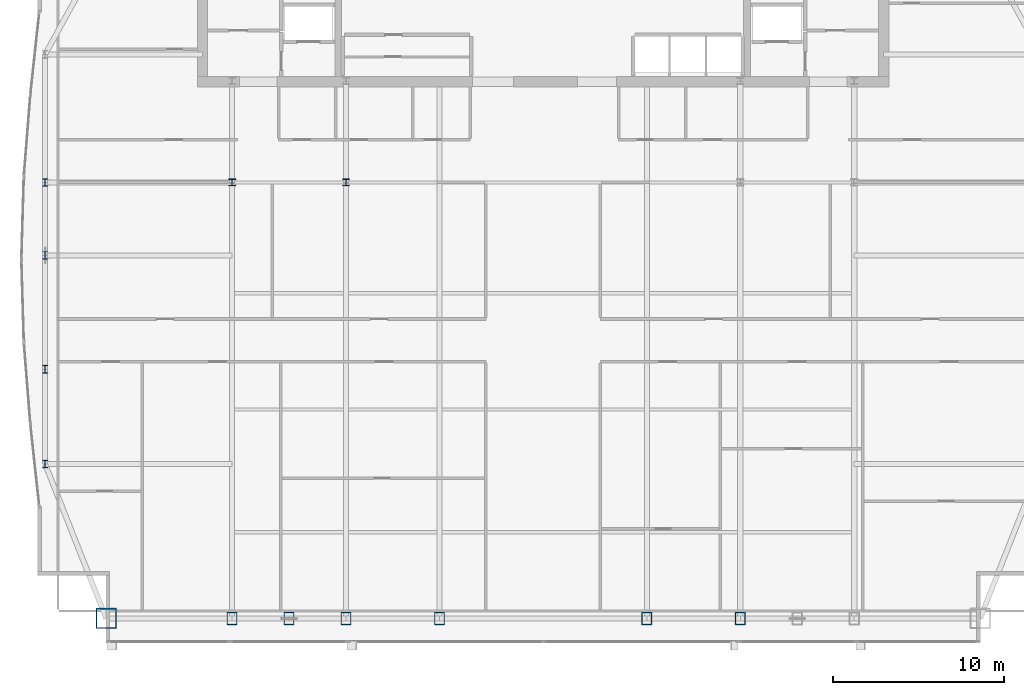
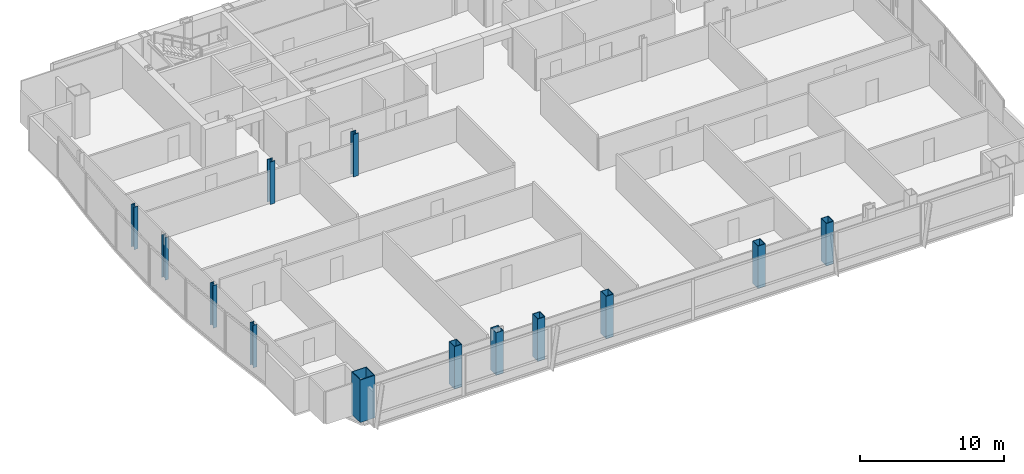
# One storey, part 1 of 32: 13 columns.
"""IFC4 building model written with IfcOpenShell, lengths in metres."""

from ifc_helpers import new_model, si_unit, direction, frame, origin, origin_2d, place, context, subcontext, project, spatial, hollow_rectangle, i_section, extrude, material, material_profile, profile_set, type_object, element, save


model = new_model("IFC4")

# Units and contexts
model_context = context("Model", 3, precision=1e-05, world=origin(), true_north=direction((0.0, 1.0)))
body_context = subcontext(model_context, "Body", "Model", "MODEL_VIEW")
ifc_project = project(units=[si_unit("LENGTHUNIT", "METRE"), si_unit("AREAUNIT", "SQUARE_METRE"), si_unit("VOLUMEUNIT", "CUBIC_METRE"), si_unit("PLANEANGLEUNIT", "RADIAN"), si_unit("MASSUNIT", "GRAM", prefix="KILO")], contexts=[model_context])

# Site, building, storey
site_placement = place(None, origin())
site = spatial("IfcSite", under=ifc_project, at=site_placement, CompositionType="ELEMENT")
building_placement = place(site_placement, origin())
building = spatial("IfcBuilding", under=site, at=building_placement, Name="Khoronbel Lancet Exchange", CompositionType="ELEMENT")
storey_placement = place(building_placement, frame((0.0, 0.0, 195.800048828125)))
storey = spatial("IfcBuildingStorey", under=building, at=storey_placement, Name="L49", CompositionType="ELEMENT", Elevation=195.800048828125)

# Columns
ifc_material_1 = material(Name="Steel S460", Category="steel")
ifc_material_profile_1 = material_profile(ifc_material_1, hollow_rectangle(XDim=0.60009765625, YDim=0.75, WallThickness=0.044921875, at=origin_2d()), Name="BOX 750x600x45")
ifc_profile_set_1 = profile_set([ifc_material_profile_1], Name="Steel S460")
column_type_1 = type_object("IfcColumnType", Name="COL-EC3", PredefinedType="COLUMN", material=ifc_profile_set_1)
for number, where, z_axis, x_axis, name in (
    (1, (18.22509765625, 10.14990234375, 0.0), (0.0, 0.0, 1.0), (1.0, 0.0, 0.0), "Structural column SC-W1 L49"),
    (2, (21.5625, 10.14990234375, 0.0), (0.0, 0.0, 1.0), (1.0, 0.0, 0.0), "Structural column SC-WM L49"),
    (3, (24.89990234375, 10.14990234375, 0.0), (0.0, 0.0, 1.0), (1.0, 0.0, 0.0), "Structural column SC-W2 L49"),
    (4, (30.375, 10.14990234375, 0.0), (0.0, 0.0, 1.0), (1.0, 0.0, 0.0), "Structural column SC-C1 L49"),
    (5, (42.52490234375, 10.14990234375, 0.0), (0.0, 0.0, 1.0), (1.0, 0.0, 0.0), "Structural column SC-C2 L49"),
    (6, (48.0, 10.14990234375, 0.0), (0.0, 0.0, 1.0), (1.0, 0.0, 0.0), "Structural column SC-E1 L49"),
):
    element("IfcColumn", number, at=place(storey_placement, frame(where, z_axis=z_axis, x_axis=x_axis)), inside=storey, type_object=column_type_1, Name=name, PredefinedType="COLUMN", context=body_context, shape_type="SweptSolid", body=[
        extrude(hollow_rectangle(XDim=0.60009765625, YDim=0.75, WallThickness=0.044921875, at=origin_2d()), origin(), (0.0, 0.0, 1.0), 3.599853515625),
    ])
ifc_material_2 = material(Name="Steel S355", Category="steel")
ifc_material_profile_2 = material_profile(ifc_material_2, i_section(OverallWidth=0.406005859375, OverallDepth=0.416015625, WebThickness=0.02978515625, FlangeThickness=0.048095703125, at=origin_2d()), Name="HD 400x382")
ifc_profile_set_2 = profile_set([ifc_material_profile_2], Name="Steel S355")
column_type_2 = type_object("IfcColumnType", Name="COL-IC3", PredefinedType="COLUMN", material=ifc_profile_set_2)
for number, where, z_axis, x_axis, name in (
    (7, (18.22509765625, 35.699951171875, 0.0), (0.0, 0.0, 1.0), (1.0, 0.0, 0.0), "Spine gravity column TC1 L49"),
    (8, (24.89990234375, 35.699951171875, 0.0), (0.0, 0.0, 1.0), (1.0, 0.0, 0.0), "Spine gravity column TC2 L49"),
):
    element("IfcColumn", number, at=place(storey_placement, frame(where, z_axis=z_axis, x_axis=x_axis)), inside=storey, type_object=column_type_2, Name=name, PredefinedType="COLUMN", context=body_context, shape_type="SweptSolid", body=[
        extrude(i_section(OverallWidth=0.406005859375, OverallDepth=0.416015625, WebThickness=0.02978515625, FlangeThickness=0.048095703125, at=origin_2d()), origin(), (0.0, 0.0, 1.0), 3.599853515625),
    ])
ifc_material_profile_3 = material_profile(ifc_material_2, i_section(OverallWidth=0.300048828125, OverallDepth=0.449951171875, WebThickness=0.013916015625, FlangeThickness=0.02587890625, at=origin_2d()), Name="HEB 450")
ifc_profile_set_3 = profile_set([ifc_material_profile_3], Name="Steel S355")
column_type_3 = type_object("IfcColumnType", Name="COL-LC2", PredefinedType="COLUMN", material=ifc_profile_set_3)
for number, where, z_axis, x_axis, name in (
    (9, (7.27001953125, 19.199951171875, 0.0), (0.0, 0.0, 1.0), (1.0, 0.0, 0.0), "Structural column WC-1 L49"),
    (10, (7.27001953125, 24.75, 0.0), (0.0, 0.0, 1.0), (1.0, 0.0, 0.0), "Structural column WC-2 L49"),
    (11, (7.27001953125, 31.425048828125, 0.0), (0.0, 0.0, 1.0), (1.0, 0.0, 0.0), "Structural column WC-M L49"),
    (12, (7.27001953125, 35.699951171875, 0.0), (0.0, 0.0, 1.0), (1.0, 0.0, 0.0), "Structural column WC-3 L49"),
):
    element("IfcColumn", number, at=place(storey_placement, frame(where, z_axis=z_axis, x_axis=x_axis)), inside=storey, type_object=column_type_3, Name=name, PredefinedType="COLUMN", context=body_context, shape_type="SweptSolid", body=[
        extrude(i_section(OverallWidth=0.300048828125, OverallDepth=0.449951171875, WebThickness=0.013916015625, FlangeThickness=0.02587890625, at=origin_2d()), origin(), (0.0, 0.0, 1.0), 3.599853515625),
    ])
ifc_material_profile_4 = material_profile(ifc_material_1, hollow_rectangle(XDim=1.199951171875, YDim=1.199951171875, WallThickness=0.06005859375, at=origin_2d()), Name="BOX 1200x1200x60")
ifc_profile_set_4 = profile_set([ifc_material_profile_4], Name="Steel S460")
column_type_4 = type_object("IfcColumnType", Name="COL-MC5", PredefinedType="COLUMN", material=ifc_profile_set_4)
column_placement = place(storey_placement, frame((10.85009765625, 10.14990234375, 0.0), z_axis=(0.0, 0.0, 1.0), x_axis=(1.0, 0.0, 0.0)))
element("IfcColumn", 13, at=column_placement, inside=storey, type_object=column_type_4, Name="Structural column MC-SW L49", PredefinedType="COLUMN", context=body_context, shape_type="SweptSolid", body=[
    extrude(hollow_rectangle(XDim=1.199951171875, YDim=1.199951171875, WallThickness=0.06005859375, at=origin_2d()), origin(), (0.0, 0.0, 1.0), 3.599853515625),
])

save(model, "model.ifc")
